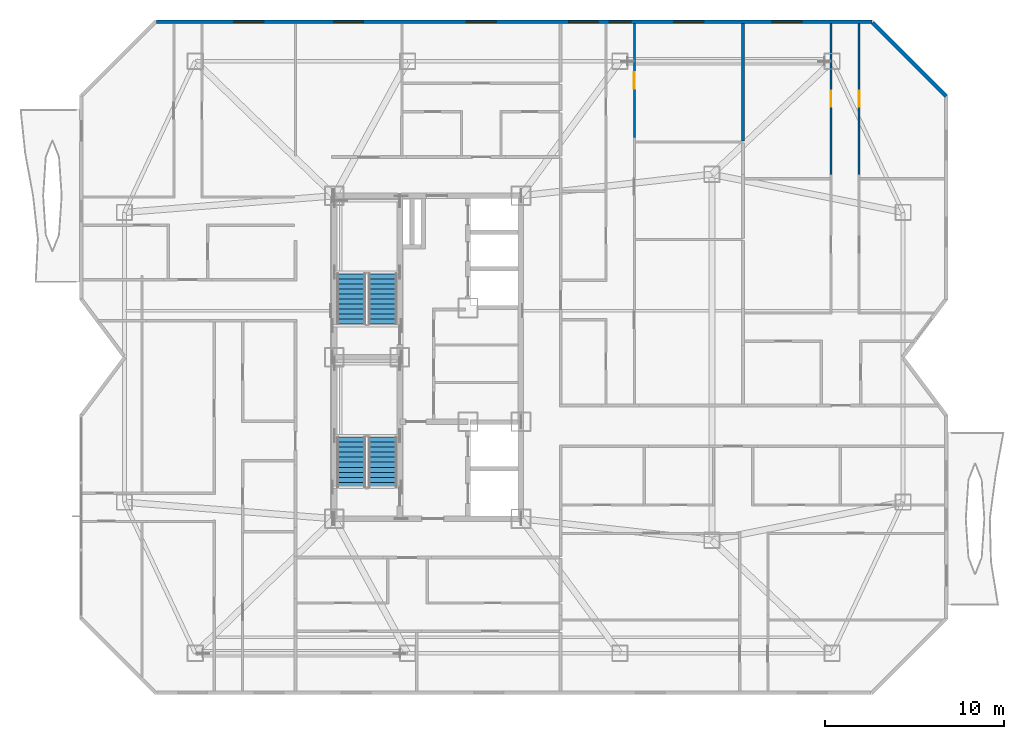
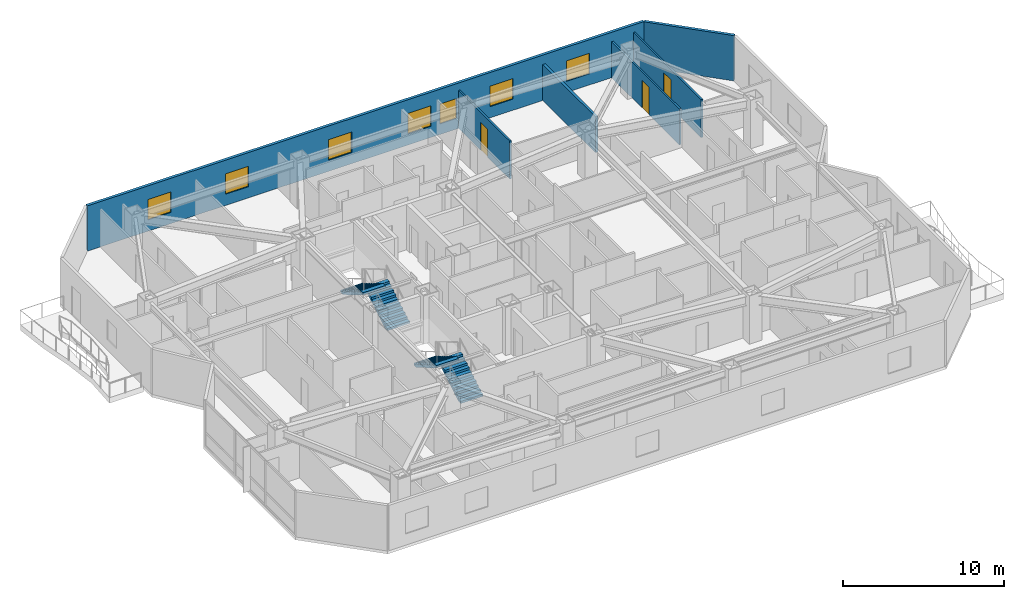
# One storey, part 15 of 17: 7 windows, 6 walls, 4 stair flights, 3 doors, 10 openings, 2 elements without a shape of their own.
"""IFC4 building model written with IfcOpenShell, lengths in metres."""

from ifc_helpers import new_model, si_unit, direction, frame, frame_2d, origin, place, context, subcontext, project, spatial, polyline, rectangle, outline, extrude, material, layer, layer_set, type_object, element, fill, aggregate, save


model = new_model("IFC4")

# Units and contexts
model_context = context("Model", 3, precision=1e-05, world=origin(), true_north=direction((0.0, 1.0)))
body_context = subcontext(model_context, "Body", "Model", "MODEL_VIEW")
ifc_project = project(units=[si_unit("LENGTHUNIT", "METRE"), si_unit("AREAUNIT", "SQUARE_METRE"), si_unit("VOLUMEUNIT", "CUBIC_METRE"), si_unit("PLANEANGLEUNIT", "RADIAN"), si_unit("MASSUNIT", "GRAM", prefix="KILO")], contexts=[model_context])

# Site, building, storey
site_placement = place(None, origin())
site = spatial("IfcSite", under=ifc_project, at=site_placement, CompositionType="ELEMENT")
building_placement = place(site_placement, origin())
building = spatial("IfcBuilding", under=site, at=building_placement, Name="Khamvora Tower", CompositionType="ELEMENT")
storey_placement = place(building_placement, frame((0.0, 0.0, 192.39990234375)))
storey = spatial("IfcBuildingStorey", under=building, at=storey_placement, Name="L49", CompositionType="ELEMENT", Elevation=192.39990234375)

# Wall
ifc_material_1 = material(Name="Acoustic Double-Stud Fire Wall", Category="gypsum")
ifc_layer_1 = layer(ifc_material_1, 0.179931640625)
ifc_layer_set_1 = layer_set([ifc_layer_1], Name="Acoustic Double-Stud Fire Wall")
wall_type_1 = type_object("IfcWallType", Name="WAL-CORR-180", PredefinedType="STANDARD", material=ifc_layer_set_1)
wall_1_placement = place(storey_placement, frame((51.784912109375, 46.60791015625, 0.0), z_axis=(0.0, 0.0, 1.0), x_axis=(0.0, -1.0, 0.0)))
element("IfcWall", 1, at=wall_1_placement, inside=storey, type_object=wall_type_1, Name="L49 interior partition wall 124", PredefinedType="STANDARD", context=body_context, shape_type="SweptSolid", body=[
    extrude(rectangle(XDim=6.539794921875, YDim=0.179931640625, at=frame_2d((3.27001953125, 0.0))), origin(), (0.0, 0.0, 1.0), 2.72509765625),
])

# Wall, openings, windows
ifc_material_2 = material(Name="Precast concrete C40/50", Category="concrete")
ifc_layer_2 = layer(ifc_material_2, 0.199951171875)
ifc_layer_set_2 = layer_set([ifc_layer_2], Name="Precast concrete C40/50")
wall_type_2 = type_object("IfcWallType", Name="WAL-EXT-200", PredefinedType="STANDARD", material=ifc_layer_set_2)
wall_2_placement = place(storey_placement, frame((19.10205078125, 46.699951171875, 0.0), z_axis=(0.0, 0.0, 1.0), x_axis=(1.0, 0.0, 0.0)))
wall_2 = element("IfcWall", 2, at=wall_2_placement, inside=storey, type_object=wall_type_2, Name="L49 exterior facade wall 07.1", PredefinedType="STANDARD", context=body_context, shape_type="SweptSolid", body=[
    extrude(rectangle(XDim=39.85693359375, YDim=0.199951171875, at=frame_2d((19.928466796875, 0.0))), origin(), (0.0, 0.0, 1.0), 3.43017578125),
])
opening_1_placement = place(wall_2_placement, frame((9.873046875, 0.0, 0.85009765625)))
opening_1 = element("IfcOpeningElement", 3, at=opening_1_placement, cuts=wall_2, Name="Opening WN-06", PredefinedType="OPENING", context=body_context, shape_type="SweptSolid", body=[
    extrude(rectangle(XDim=1.64990234375, YDim=1.550048828125, at=frame_2d((0.824951171875, 0.77490234375))), frame((0.0, 0.10986328125, 0.0), z_axis=(0.0, -1.0, 0.0), x_axis=(1.0, 0.0, 0.0)), (0.0, 0.0, 1.0), 0.219970703125),
])
opening_2_placement = place(wall_2_placement, frame((4.302978515625, 0.0, 0.85009765625)))
opening_2 = element("IfcOpeningElement", 4, at=opening_2_placement, cuts=wall_2, Name="Opening WN-06", PredefinedType="OPENING", context=body_context, shape_type="SweptSolid", body=[
    extrude(rectangle(XDim=1.64990234375, YDim=1.550048828125, at=frame_2d((0.824951171875, 0.77490234375))), frame((0.0, 0.10986328125, 0.0), z_axis=(0.0, -1.0, 0.0), x_axis=(1.0, 0.0, 0.0)), (0.0, 0.0, 1.0), 0.219970703125),
])
opening_3_placement = place(wall_2_placement, frame((17.262939453125, 0.0, 0.85009765625)))
opening_3 = element("IfcOpeningElement", 5, at=opening_3_placement, cuts=wall_2, Name="Opening WN-06", PredefinedType="OPENING", context=body_context, shape_type="SweptSolid", body=[
    extrude(rectangle(XDim=1.64990234375, YDim=1.550048828125, at=frame_2d((0.824951171875, 0.77490234375))), frame((0.0, 0.10986328125, 0.0), z_axis=(0.0, -1.0, 0.0), x_axis=(1.0, 0.0, 0.0)), (0.0, 0.0, 1.0), 0.219970703125),
])
opening_4_placement = place(wall_2_placement, frame((22.952880859375, 0.0, 0.85009765625)))
opening_4 = element("IfcOpeningElement", 6, at=opening_4_placement, cuts=wall_2, Name="Opening WN-06", PredefinedType="OPENING", context=body_context, shape_type="SweptSolid", body=[
    extrude(rectangle(XDim=1.64990234375, YDim=1.550048828125, at=frame_2d((0.824951171875, 0.77490234375))), frame((0.0, 0.10986328125, 0.0), z_axis=(0.0, -1.0, 0.0), x_axis=(1.0, 0.0, 0.0)), (0.0, 0.0, 1.0), 0.219970703125),
])
opening_5_placement = place(wall_2_placement, frame((25.23291015625, 0.0, 0.800048828125)))
opening_5 = element("IfcOpeningElement", 7, at=opening_5_placement, cuts=wall_2, Name="Opening WN-03", PredefinedType="OPENING", context=body_context, shape_type="SweptSolid", body=[
    extrude(rectangle(XDim=1.199951171875, YDim=1.5, at=frame_2d((0.60009765625, 0.75))), frame((0.0, 0.10986328125, 0.0), z_axis=(0.0, -1.0, 0.0), x_axis=(1.0, 0.0, 0.0)), (0.0, 0.0, 1.0), 0.219970703125),
])
opening_6_placement = place(wall_2_placement, frame((28.827880859375, 0.0, 0.85009765625)))
opening_6 = element("IfcOpeningElement", 8, at=opening_6_placement, cuts=wall_2, Name="Opening WN-06", PredefinedType="OPENING", context=body_context, shape_type="SweptSolid", body=[
    extrude(rectangle(XDim=1.64990234375, YDim=1.550048828125, at=frame_2d((0.824951171875, 0.77490234375))), frame((0.0, 0.10986328125, 0.0), z_axis=(0.0, -1.0, 0.0), x_axis=(1.0, 0.0, 0.0)), (0.0, 0.0, 1.0), 0.219970703125),
])
opening_7_placement = place(wall_2_placement, frame((34.30810546875, 0.0, 0.85009765625)))
opening_7 = element("IfcOpeningElement", 9, at=opening_7_placement, cuts=wall_2, Name="Opening WN-06", PredefinedType="OPENING", context=body_context, shape_type="SweptSolid", body=[
    extrude(rectangle(XDim=1.64990234375, YDim=1.550048828125, at=frame_2d((0.824951171875, 0.77490234375))), frame((0.0, 0.10986328125, 0.0), z_axis=(0.0, -1.0, 0.0), x_axis=(1.0, 0.0, 0.0)), (0.0, 0.0, 1.0), 0.219970703125),
])
ifc_material_3 = material(Name="Low-E Laminated Double Glazing", Category="glass")
window_type_1 = type_object("IfcWindowType", Name="WIN-VIS-1200x1500", PartitioningType="SINGLE_PANEL", PredefinedType="WINDOW", material=ifc_material_3)
window_1_placement = place(opening_5_placement, origin())
window_1 = element("IfcWindow", 10, at=window_1_placement, inside=storey, type_object=window_type_1, Name="L49 vision window 07.1.05", OverallHeight=1.5, OverallWidth=1.199951171875, PartitioningType="SINGLE_PANEL", PredefinedType="WINDOW", context=body_context, shape_type="SweptSolid", body=[
    extrude(rectangle(XDim=1.199951171875, YDim=1.5, at=frame_2d((0.60009765625, 0.75))), frame((0.0, 0.030029296875, 0.0), z_axis=(0.0, -1.0, 0.0), x_axis=(1.0, 0.0, 0.0)), (0.0, 0.0, 1.0), 0.06005859375),
])
fill(opening_5, window_1)
window_type_2 = type_object("IfcWindowType", Name="WIN-VIS-1650x1550", PartitioningType="SINGLE_PANEL", PredefinedType="WINDOW", material=ifc_material_3)
window_2_placement = place(opening_1_placement, origin())
window_2 = element("IfcWindow", 11, at=window_2_placement, inside=storey, type_object=window_type_2, Name="L49 vision window 07.1.01", OverallHeight=1.550048828125, OverallWidth=1.64990234375, PartitioningType="SINGLE_PANEL", PredefinedType="WINDOW", context=body_context, shape_type="SweptSolid", body=[
    extrude(rectangle(XDim=1.64990234375, YDim=1.550048828125, at=frame_2d((0.824951171875, 0.77490234375))), frame((0.0, 0.030029296875, 0.0), z_axis=(0.0, -1.0, 0.0), x_axis=(1.0, 0.0, 0.0)), (0.0, 0.0, 1.0), 0.06005859375),
])
fill(opening_1, window_2)
window_3_placement = place(opening_2_placement, origin())
window_3 = element("IfcWindow", 12, at=window_3_placement, inside=storey, type_object=window_type_2, Name="L49 vision window 07.1.02", OverallHeight=1.550048828125, OverallWidth=1.64990234375, PartitioningType="SINGLE_PANEL", PredefinedType="WINDOW", context=body_context, shape_type="SweptSolid", body=[
    extrude(rectangle(XDim=1.64990234375, YDim=1.550048828125, at=frame_2d((0.824951171875, 0.77490234375))), frame((0.0, 0.030029296875, 0.0), z_axis=(0.0, -1.0, 0.0), x_axis=(1.0, 0.0, 0.0)), (0.0, 0.0, 1.0), 0.06005859375),
])
fill(opening_2, window_3)
window_4_placement = place(opening_3_placement, origin())
window_4 = element("IfcWindow", 13, at=window_4_placement, inside=storey, type_object=window_type_2, Name="L49 vision window 07.1.03", OverallHeight=1.550048828125, OverallWidth=1.64990234375, PartitioningType="SINGLE_PANEL", PredefinedType="WINDOW", context=body_context, shape_type="SweptSolid", body=[
    extrude(rectangle(XDim=1.64990234375, YDim=1.550048828125, at=frame_2d((0.824951171875, 0.77490234375))), frame((0.0, 0.030029296875, 0.0), z_axis=(0.0, -1.0, 0.0), x_axis=(1.0, 0.0, 0.0)), (0.0, 0.0, 1.0), 0.06005859375),
])
fill(opening_3, window_4)
window_5_placement = place(opening_4_placement, origin())
window_5 = element("IfcWindow", 14, at=window_5_placement, inside=storey, type_object=window_type_2, Name="L49 vision window 07.1.04", OverallHeight=1.550048828125, OverallWidth=1.64990234375, PartitioningType="SINGLE_PANEL", PredefinedType="WINDOW", context=body_context, shape_type="SweptSolid", body=[
    extrude(rectangle(XDim=1.64990234375, YDim=1.550048828125, at=frame_2d((0.824951171875, 0.77490234375))), frame((0.0, 0.030029296875, 0.0), z_axis=(0.0, -1.0, 0.0), x_axis=(1.0, 0.0, 0.0)), (0.0, 0.0, 1.0), 0.06005859375),
])
fill(opening_4, window_5)
window_6_placement = place(opening_6_placement, origin())
window_6 = element("IfcWindow", 15, at=window_6_placement, inside=storey, type_object=window_type_2, Name="L49 vision window 07.1.06", OverallHeight=1.550048828125, OverallWidth=1.64990234375, PartitioningType="SINGLE_PANEL", PredefinedType="WINDOW", context=body_context, shape_type="SweptSolid", body=[
    extrude(rectangle(XDim=1.64990234375, YDim=1.550048828125, at=frame_2d((0.824951171875, 0.77490234375))), frame((0.0, 0.030029296875, 0.0), z_axis=(0.0, -1.0, 0.0), x_axis=(1.0, 0.0, 0.0)), (0.0, 0.0, 1.0), 0.06005859375),
])
fill(opening_6, window_6)
window_7_placement = place(opening_7_placement, origin())
window_7 = element("IfcWindow", 16, at=window_7_placement, inside=storey, type_object=window_type_2, Name="L49 vision window 07.1.07", OverallHeight=1.550048828125, OverallWidth=1.64990234375, PartitioningType="SINGLE_PANEL", PredefinedType="WINDOW", context=body_context, shape_type="SweptSolid", body=[
    extrude(rectangle(XDim=1.64990234375, YDim=1.550048828125, at=frame_2d((0.824951171875, 0.77490234375))), frame((0.0, 0.030029296875, 0.0), z_axis=(0.0, -1.0, 0.0), x_axis=(1.0, 0.0, 0.0)), (0.0, 0.0, 1.0), 0.06005859375),
])
fill(opening_7, window_7)

# Wall
wall_3_placement = place(storey_placement, frame((59.0029296875, 46.656005859375, 0.0), z_axis=(0.0, 0.0, 1.0), x_axis=(0.707127848917, -0.707085712828, 0.0)))
element("IfcWall", 17, at=wall_3_placement, inside=storey, type_object=wall_type_2, Name="L49 exterior facade wall 08.1", PredefinedType="STANDARD", context=body_context, shape_type="SweptSolid", body=[
    extrude(rectangle(XDim=5.794189453125, YDim=0.199951171875, at=frame_2d((2.89697265625, 0.0))), origin(), (0.0, 0.0, 1.0), 3.43017578125),
])

# Wall, opening, door
ifc_material_4 = material(Name="Gypsum Plasterboard Partition", Category="gypsum")
ifc_layer_3 = layer(ifc_material_4, 0.1201171875)
ifc_layer_set_3 = layer_set([ifc_layer_3], Name="Gypsum Plasterboard Partition")
wall_type_3 = type_object("IfcWallType", Name="WAL-PART-120", PredefinedType="PARTITIONING", material=ifc_layer_set_3)
wall_4_placement = place(storey_placement, frame((45.72509765625, 46.60791015625, 0.0), z_axis=(0.0, 0.0, 1.0), x_axis=(0.0, -1.0, 0.0)))
wall_4 = element("IfcWall", 18, at=wall_4_placement, inside=storey, type_object=wall_type_3, Name="L49 interior partition wall 116", PredefinedType="PARTITIONING", context=body_context, shape_type="SweptSolid", body=[
    extrude(rectangle(XDim=6.35498046875, YDim=0.1201171875, at=frame_2d((3.177490234375, 0.0))), origin(), (0.0, 0.0, 1.0), 2.8759765625),
])
opening_8_placement = place(wall_4_placement, frame((2.72802734375, 0.0, 0.0)))
opening_8 = element("IfcOpeningElement", 19, at=opening_8_placement, cuts=wall_4, Name="Opening D-RM1", PredefinedType="OPENING", context=body_context, shape_type="SweptSolid", body=[
    extrude(rectangle(XDim=0.89990234375, YDim=2.10009765625, at=frame_2d((0.449951171875, 1.050048828125))), frame((0.0, 0.070068359375, 0.0), z_axis=(0.0, -1.0, 0.0), x_axis=(1.0, 0.0, 0.0)), (0.0, 0.0, 1.0), 0.14013671875),
])
ifc_material_5 = material(Name="Powder-Coated Steel and Hardwood Leaf", Category="steel")
door_type = type_object("IfcDoorType", Name="DOR-ROOM-900", OperationType="NOTDEFINED", PredefinedType="DOOR", material=ifc_material_5)
door_1_placement = place(opening_8_placement, origin())
door_1 = element("IfcDoor", 20, at=door_1_placement, inside=storey, type_object=door_type, Name="L49 interior door 49EBH-49EBR3", OperationType="SINGLE_SWING_RIGHT", OverallHeight=2.10009765625, OverallWidth=0.89990234375, PredefinedType="DOOR", context=body_context, shape_type="SweptSolid", body=[
    extrude(rectangle(XDim=0.89990234375, YDim=2.10009765625, at=frame_2d((0.449951171875, 1.050048828125))), frame((0.0, 0.02490234375, 0.0), z_axis=(0.0, -1.0, 0.0), x_axis=(1.0, 0.0, 0.0)), (0.0, 0.0, 1.0), 0.050048828125),
])
fill(opening_8, door_1)

wall_5_placement = place(storey_placement, frame((56.68505859375, 38.196044921875, 0.0), z_axis=(0.0, 0.0, 1.0), x_axis=(0.0, 1.0, 0.0)))
wall_5 = element("IfcWall", 21, at=wall_5_placement, inside=storey, type_object=wall_type_3, Name="L49 interior partition wall 131", PredefinedType="PARTITIONING", context=body_context, shape_type="SweptSolid", body=[
    extrude(rectangle(XDim=8.411865234375, YDim=0.1201171875, at=frame_2d((4.2060546875, 0.0))), origin(), (0.0, 0.0, 1.0), 2.72509765625),
])
opening_9_placement = place(wall_5_placement, frame((3.756103515625, 0.0, 0.0)))
opening_9 = element("IfcOpeningElement", 22, at=opening_9_placement, cuts=wall_5, Name="Opening D-RM1", PredefinedType="OPENING", context=body_context, shape_type="SweptSolid", body=[
    extrude(rectangle(XDim=0.89990234375, YDim=2.10009765625, at=frame_2d((0.449951171875, 1.050048828125))), frame((0.0, 0.070068359375, 0.0), z_axis=(0.0, -1.0, 0.0), x_axis=(1.0, 0.0, 0.0)), (0.0, 0.0, 1.0), 0.14013671875),
])
door_2_placement = place(opening_9_placement, origin())
door_2 = element("IfcDoor", 23, at=door_2_placement, inside=storey, type_object=door_type, Name="L49 interior door 49ECH-49ECR2", OperationType="SINGLE_SWING_LEFT", OverallHeight=2.10009765625, OverallWidth=0.89990234375, PredefinedType="DOOR", context=body_context, shape_type="SweptSolid", body=[
    extrude(rectangle(XDim=0.89990234375, YDim=2.10009765625, at=frame_2d((0.449951171875, 1.050048828125))), frame((0.0, 0.02490234375, 0.0), z_axis=(0.0, -1.0, 0.0), x_axis=(1.0, 0.0, 0.0)), (0.0, 0.0, 1.0), 0.050048828125),
])
fill(opening_9, door_2)

wall_6_placement = place(storey_placement, frame((58.2548828125, 46.60791015625, 0.0), z_axis=(0.0, 0.0, 1.0), x_axis=(0.0, -1.0, 0.0)))
wall_6 = element("IfcWall", 24, at=wall_6_placement, inside=storey, type_object=wall_type_3, Name="L49 interior partition wall 134", PredefinedType="PARTITIONING", context=body_context, shape_type="SweptSolid", body=[
    extrude(rectangle(XDim=8.411865234375, YDim=0.1201171875, at=frame_2d((4.2060546875, 0.0))), origin(), (0.0, 0.0, 1.0), 2.8759765625),
])
opening_10_placement = place(wall_6_placement, frame((3.756103515625, 0.0, 0.0)))
opening_10 = element("IfcOpeningElement", 25, at=opening_10_placement, cuts=wall_6, Name="Opening D-RM1", PredefinedType="OPENING", context=body_context, shape_type="SweptSolid", body=[
    extrude(rectangle(XDim=0.89990234375, YDim=2.10009765625, at=frame_2d((0.449951171875, 1.050048828125))), frame((0.0, 0.070068359375, 0.0), z_axis=(0.0, -1.0, 0.0), x_axis=(1.0, 0.0, 0.0)), (0.0, 0.0, 1.0), 0.14013671875),
])
door_3_placement = place(opening_10_placement, origin())
door_3 = element("IfcDoor", 26, at=door_3_placement, inside=storey, type_object=door_type, Name="L49 interior door 49ECH-49ECR4", OperationType="SINGLE_SWING_LEFT", OverallHeight=2.10009765625, OverallWidth=0.89990234375, PredefinedType="DOOR", context=body_context, shape_type="SweptSolid", body=[
    extrude(rectangle(XDim=0.89990234375, YDim=2.10009765625, at=frame_2d((0.449951171875, 1.050048828125))), frame((0.0, 0.02490234375, 0.0), z_axis=(0.0, -1.0, 0.0), x_axis=(1.0, 0.0, 0.0)), (0.0, 0.0, 1.0), 0.050048828125),
])
fill(opening_10, door_3)

# Stair, stair flights
ifc_material_6 = material(Name="Concrete C40/50", Category="concrete")
stair_type_1 = type_object("IfcStairType", Name="STR-ST-01", PredefinedType="HALF_TURN_STAIR", material=ifc_material_6)
stair_1_placement = place(storey_placement, origin())
stair_1 = element("IfcStair", 27, at=stair_1_placement, inside=storey, type_object=stair_type_1, Name="L49 South Tower Exit Stair ST-01", PredefinedType="HALF_TURN_STAIR")
stair_flight_type_1 = type_object("IfcStairFlightType", Name="STF-ST-01", PredefinedType="STRAIGHT", material=ifc_material_6)
stair_flight_1_placement = place(storey_placement, frame((31.699951171875, 20.75, 0.0), z_axis=(0.0, 0.0, 1.0), x_axis=(0.0, 1.0, 0.0)))
stair_flight_1 = element("IfcStairFlight", 28, at=stair_flight_1_placement, type_object=stair_flight_type_1, Name="ST-01 flight 1", NumberOfRisers=11, NumberOfTreads=10, PredefinedType="STRAIGHT", RiserHeight=0.165909091, TreadLength=0.28, context=body_context, shape_type="SweptSolid", body=[
    extrude(outline(polyline([(0.0, 0.0), (0.0, 0.166015625), (0.280029296875, 0.166015625), (0.280029296875, 0.331787109375), (0.56005859375, 0.331787109375), (0.56005859375, 0.497802734375), (0.840087890625, 0.497802734375), (0.840087890625, 0.66357421875), (1.1201171875, 0.66357421875), (1.1201171875, 0.82958984375), (1.39990234375, 0.82958984375), (1.39990234375, 0.995361328125), (1.679931640625, 0.995361328125), (1.679931640625, 1.161376953125), (1.9599609375, 1.161376953125), (1.9599609375, 1.327392578125), (2.239990234375, 1.327392578125), (2.239990234375, 1.4931640625), (2.52001953125, 1.4931640625), (2.52001953125, 1.6591796875), (2.800048828125, 1.6591796875), (2.800048828125, 1.824951171875), (2.800048828125, 1.48486328125), (0.2939453125, 0.0), (0.0, 0.0)])), frame((0.0, 0.800048828125, 0.0), z_axis=(0.0, -1.0, 0.0), x_axis=(1.0, 0.0, 0.0)), (0.0, 0.0, 1.0), 1.60009765625),
])
stair_flight_2_placement = place(storey_placement, frame((29.949951171875, 23.550048828125, 1.8251953125), z_axis=(0.0, 0.0, 1.0), x_axis=(0.0, -1.0, 0.0)))
stair_flight_2 = element("IfcStairFlight", 29, at=stair_flight_2_placement, type_object=stair_flight_type_1, Name="ST-01 flight 2", NumberOfRisers=11, NumberOfTreads=10, PredefinedType="STRAIGHT", RiserHeight=0.165909091, TreadLength=0.28, context=body_context, shape_type="SweptSolid", body=[
    extrude(outline(polyline([(0.0, 0.0), (0.0, 0.166015625), (0.280029296875, 0.166015625), (0.280029296875, 0.331787109375), (0.56005859375, 0.331787109375), (0.56005859375, 0.497802734375), (0.840087890625, 0.497802734375), (0.840087890625, 0.66357421875), (1.1201171875, 0.66357421875), (1.1201171875, 0.82958984375), (1.39990234375, 0.82958984375), (1.39990234375, 0.995361328125), (1.679931640625, 0.995361328125), (1.679931640625, 1.161376953125), (1.9599609375, 1.161376953125), (1.9599609375, 1.327392578125), (2.239990234375, 1.327392578125), (2.239990234375, 1.4931640625), (2.52001953125, 1.4931640625), (2.52001953125, 1.6591796875), (2.800048828125, 1.6591796875), (2.800048828125, 1.824951171875), (2.800048828125, 1.48486328125), (0.2939453125, 0.0), (0.0, 0.0)])), frame((0.0, 0.800048828125, 0.0), z_axis=(0.0, -1.0, 0.0), x_axis=(1.0, 0.0, 0.0)), (0.0, 0.0, 1.0), 1.60009765625),
])
aggregate(stair_1, [stair_flight_1, stair_flight_2])

stair_type_2 = type_object("IfcStairType", Name="STR-ST-02", PredefinedType="HALF_TURN_STAIR", material=ifc_material_6)
stair_2_placement = place(storey_placement, origin())
stair_2 = element("IfcStair", 30, at=stair_2_placement, inside=storey, type_object=stair_type_2, Name="L49 North Tower Exit Stair ST-02", PredefinedType="HALF_TURN_STAIR")
stair_flight_type_2 = type_object("IfcStairFlightType", Name="STF-ST-02", PredefinedType="STRAIGHT", material=ifc_material_6)
stair_flight_3_placement = place(storey_placement, frame((31.699951171875, 29.85009765625, 0.0), z_axis=(0.0, 0.0, 1.0), x_axis=(0.0, 1.0, 0.0)))
stair_flight_3 = element("IfcStairFlight", 31, at=stair_flight_3_placement, type_object=stair_flight_type_2, Name="ST-02 flight 1", NumberOfRisers=11, NumberOfTreads=10, PredefinedType="STRAIGHT", RiserHeight=0.165909091, TreadLength=0.28, context=body_context, shape_type="SweptSolid", body=[
    extrude(outline(polyline([(0.0, 0.0), (0.0, 0.166015625), (0.280029296875, 0.166015625), (0.280029296875, 0.331787109375), (0.56005859375, 0.331787109375), (0.56005859375, 0.497802734375), (0.840087890625, 0.497802734375), (0.840087890625, 0.66357421875), (1.1201171875, 0.66357421875), (1.1201171875, 0.82958984375), (1.39990234375, 0.82958984375), (1.39990234375, 0.995361328125), (1.679931640625, 0.995361328125), (1.679931640625, 1.161376953125), (1.9599609375, 1.161376953125), (1.9599609375, 1.327392578125), (2.239990234375, 1.327392578125), (2.239990234375, 1.4931640625), (2.52001953125, 1.4931640625), (2.52001953125, 1.6591796875), (2.800048828125, 1.6591796875), (2.800048828125, 1.824951171875), (2.800048828125, 1.48486328125), (0.2939453125, 0.0), (0.0, 0.0)])), frame((0.0, 0.800048828125, 0.0), z_axis=(0.0, -1.0, 0.0), x_axis=(1.0, 0.0, 0.0)), (0.0, 0.0, 1.0), 1.60009765625),
])
stair_flight_4_placement = place(storey_placement, frame((29.949951171875, 32.64990234375, 1.8251953125), z_axis=(0.0, 0.0, 1.0), x_axis=(0.0, -1.0, 0.0)))
stair_flight_4 = element("IfcStairFlight", 32, at=stair_flight_4_placement, type_object=stair_flight_type_2, Name="ST-02 flight 2", NumberOfRisers=11, NumberOfTreads=10, PredefinedType="STRAIGHT", RiserHeight=0.165909091, TreadLength=0.28, context=body_context, shape_type="SweptSolid", body=[
    extrude(outline(polyline([(0.0, 0.0), (0.0, 0.166015625), (0.280029296875, 0.166015625), (0.280029296875, 0.331787109375), (0.56005859375, 0.331787109375), (0.56005859375, 0.497802734375), (0.840087890625, 0.497802734375), (0.840087890625, 0.66357421875), (1.1201171875, 0.66357421875), (1.1201171875, 0.82958984375), (1.39990234375, 0.82958984375), (1.39990234375, 0.995361328125), (1.679931640625, 0.995361328125), (1.679931640625, 1.161376953125), (1.9599609375, 1.161376953125), (1.9599609375, 1.327392578125), (2.239990234375, 1.327392578125), (2.239990234375, 1.4931640625), (2.52001953125, 1.4931640625), (2.52001953125, 1.6591796875), (2.800048828125, 1.6591796875), (2.800048828125, 1.824951171875), (2.800048828125, 1.48486328125), (0.2939453125, 0.0), (0.0, 0.0)])), frame((0.0, 0.800048828125, 0.0), z_axis=(0.0, -1.0, 0.0), x_axis=(1.0, 0.0, 0.0)), (0.0, 0.0, 1.0), 1.60009765625),
])
aggregate(stair_2, [stair_flight_3, stair_flight_4])

save(model, "model.ifc")
